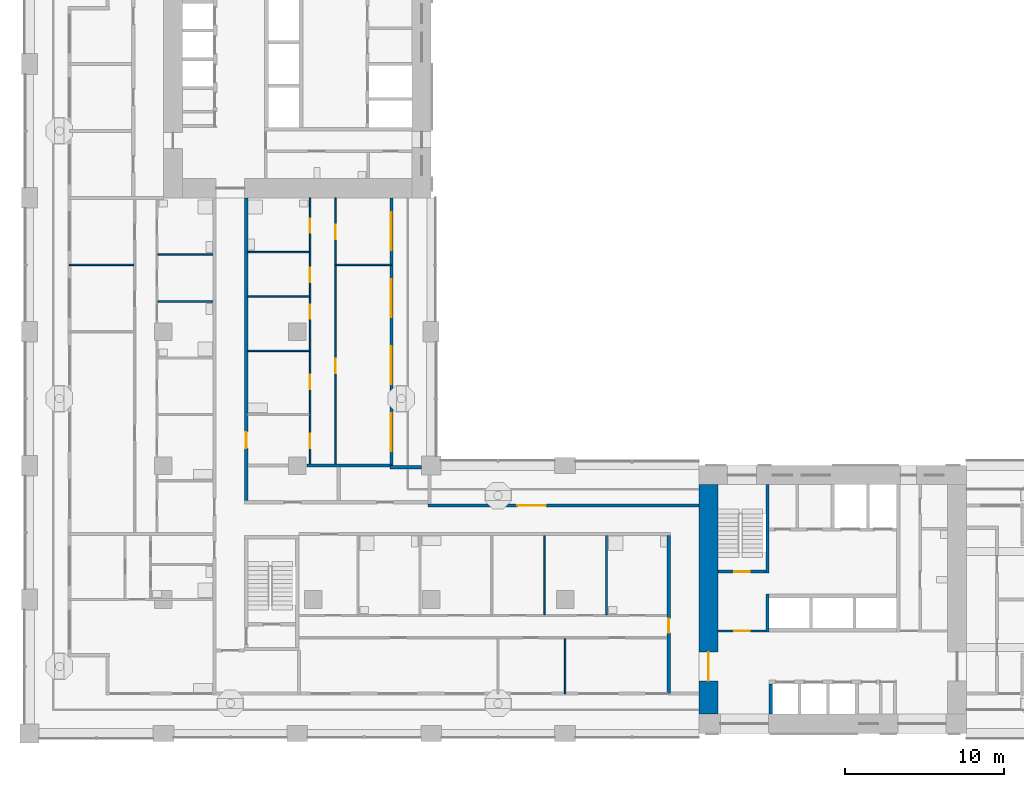
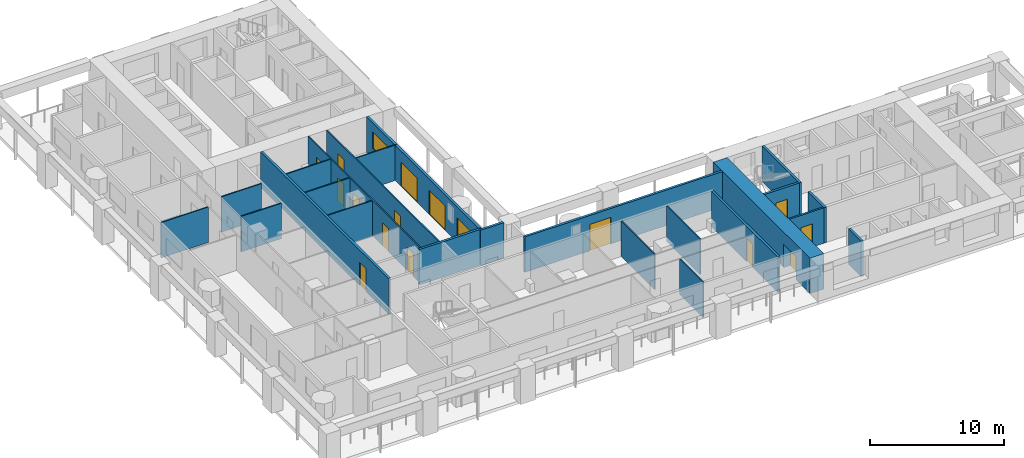
# One storey, part 4 of 18: 24 walls, 16 doors, 1 window, 17 openings.
"""IFC4 building model written with IfcOpenShell, lengths in metres."""

from ifc_helpers import new_model, si_unit, direction, frame, frame_2d, origin, place, context, subcontext, project, spatial, rectangle, extrude, material, layer, layer_set, type_object, element, fill, save


model = new_model("IFC4")

# Units and contexts
model_context = context("Model", 3, precision=1e-05, world=origin(), true_north=direction((0.0, 1.0)))
body_context = subcontext(model_context, "Body", "Model", "MODEL_VIEW")
ifc_project = project(units=[si_unit("LENGTHUNIT", "METRE"), si_unit("AREAUNIT", "SQUARE_METRE"), si_unit("VOLUMEUNIT", "CUBIC_METRE"), si_unit("PLANEANGLEUNIT", "RADIAN"), si_unit("MASSUNIT", "GRAM", prefix="KILO")], contexts=[model_context])

# Site, building, storey
site_placement = place(None, origin())
site = spatial("IfcSite", under=ifc_project, at=site_placement, CompositionType="ELEMENT")
building_placement = place(site_placement, origin())
building = spatial("IfcBuilding", under=site, at=building_placement, Name="Vermilion Gate Residences", CompositionType="ELEMENT")
storey_placement = place(building_placement, frame((0.0, 0.0, 133.699951171875)))
storey = spatial("IfcBuildingStorey", under=building, at=storey_placement, Name="L34", CompositionType="ELEMENT", Elevation=133.699951171875)

# Wall, opening, door
ifc_material_1 = material(Name="Masonry blockwork", Category="masonry")
ifc_layer_1 = layer(ifc_material_1, 0.14990234375)
ifc_layer_set_1 = layer_set([ifc_layer_1], Name="BLOCKWORK PARTITION 150 EI 120")
wall_type_1 = type_object("IfcWallType", Name="BLOCKWORK PARTITION 150 EI 120", PredefinedType="PARTITIONING", material=ifc_layer_set_1)
wall_1_placement = place(storey_placement, frame((43.199951171875, 14.824951171875, 0.0), z_axis=(0.0, 0.0, 1.0), x_axis=(1.0, 0.0, 0.0)))
wall_1 = element("IfcWall", 1, at=wall_1_placement, inside=storey, type_object=wall_type_1, Name="Core room partition A34-VW-S", PredefinedType="PARTITIONING", context=body_context, shape_type="SweptSolid", body=[
    extrude(rectangle(XDim=3.0, YDim=0.14990234375, at=frame_2d((1.5, 0.0))), origin(), (0.0, 0.0, 1.0), 3.219970703125),
])
opening_1_placement = place(wall_1_placement, frame((1.0, 0.0, 0.0)))
opening_1 = element("IfcOpeningElement", 2, at=opening_1_placement, cuts=wall_1, Name="Opening DK34012", PredefinedType="OPENING", context=body_context, shape_type="SweptSolid", body=[
    extrude(rectangle(XDim=1.0, YDim=2.10009765625, at=frame_2d((0.5, 1.050048828125))), frame((0.0, 0.0849609375, 0.0), z_axis=(0.0, -1.0, 0.0), x_axis=(1.0, 0.0, 0.0)), (0.0, 0.0, 1.0), 0.169921875),
])
ifc_material_2 = material(Name="Steel", Category="steel")
door_type_1 = type_object("IfcDoorType", Name="FIRE DOOR FD60 1000 X 2100", OperationType="SINGLE_SWING_LEFT", PredefinedType="DOOR", material=ifc_material_2)
door_1_placement = place(opening_1_placement, frame((1.0, 0.0, 0.0), z_axis=(0.0, 0.0, 1.0), x_axis=(-1.0, 0.0, 0.0)))
door_1 = element("IfcDoor", 3, at=door_1_placement, inside=storey, type_object=door_type_1, Name="Stair vestibule door A34", OperationType="SINGLE_SWING_RIGHT", OverallHeight=2.10009765625, OverallWidth=1.0, PredefinedType="DOOR", context=body_context, shape_type="SweptSolid", body=[
    extrude(rectangle(XDim=1.0, YDim=2.10009765625, at=frame_2d((0.5, 1.050048828125))), frame((0.0, 0.02490234375, 0.0), z_axis=(0.0, -1.0, 0.0), x_axis=(1.0, 0.0, 0.0)), (0.0, 0.0, 1.0), 0.050048828125),
])
fill(opening_1, door_1)

ifc_material_3 = material(Name="Insulated steel stud wall with terracotta rainscreen", Category="masonry")
ifc_layer_2 = layer(ifc_material_3, 0.199951171875)
ifc_layer_set_2 = layer_set([ifc_layer_2], Name="EXTERNAL WALL 200 TERRACOTTA RAINSCREEN")
wall_type_2 = type_object("IfcWallType", Name="EXTERNAL WALL 200 TERRACOTTA RAINSCREEN", PredefinedType="SOLIDWALL", material=ifc_layer_set_2)
wall_2_placement = place(storey_placement, frame((42.0, 22.699951171875, 0.0), z_axis=(0.0, 0.0, 1.0), x_axis=(-1.0, 0.0, 0.0)))
wall_2 = element("IfcWall", 4, at=wall_2_placement, inside=storey, type_object=wall_type_2, Name="External wall", PredefinedType="SOLIDWALL", context=body_context, shape_type="SweptSolid", body=[
    extrude(rectangle(XDim=17.0, YDim=0.199951171875, at=frame_2d((8.5, 0.0))), origin(), (0.0, 0.0, 1.0), 3.219970703125),
])
opening_2_placement = place(wall_2_placement, frame((9.60009765625, 0.0, 0.0)))
opening_2 = element("IfcOpeningElement", 5, at=opening_2_placement, cuts=wall_2, Name="Opening DE34029", PredefinedType="OPENING", context=body_context, shape_type="SweptSolid", body=[
    extrude(rectangle(XDim=1.800048828125, YDim=2.39990234375, at=frame_2d((0.89990234375, 1.199951171875))), frame((0.0, 0.10986328125, 0.0), z_axis=(0.0, -1.0, 0.0), x_axis=(1.0, 0.0, 0.0)), (0.0, 0.0, 1.0), 0.219970703125),
])
ifc_material_4 = material(Name="Aluminium and clear glass", Category="aluminium")
door_type_2 = type_object("IfcDoorType", Name="GLAZED EXTERNAL DOOR 1800 X 2400", OperationType="DOUBLE_DOOR_SINGLE_SWING", PredefinedType="DOOR", material=ifc_material_4)
door_2_placement = place(opening_2_placement, frame((1.800048828125, 0.0, 0.0), z_axis=(0.0, 0.0, 1.0), x_axis=(-1.0, 0.0, 0.0)))
door_2 = element("IfcDoor", 6, at=door_2_placement, inside=storey, type_object=door_type_2, Name="Gallery door", OperationType="DOUBLE_DOOR_SINGLE_SWING", OverallHeight=2.39990234375, OverallWidth=1.800048828125, PredefinedType="DOOR", context=body_context, shape_type="SweptSolid", body=[
    extrude(rectangle(XDim=1.800048828125, YDim=2.39990234375, at=frame_2d((0.89990234375, 1.199951171875))), frame((0.0, 0.02490234375, 0.0), z_axis=(0.0, -1.0, 0.0), x_axis=(1.0, 0.0, 0.0)), (0.0, 0.0, 1.0), 0.050048828125),
])
fill(opening_2, door_2)

# Wall
wall_3_placement = place(storey_placement, frame((24.60009765625, 25.10009765625, 0.0), z_axis=(0.0, 0.0, 1.0), x_axis=(-1.0, 0.0, 0.0)))
element("IfcWall", 7, at=wall_3_placement, inside=storey, type_object=wall_type_2, Name="External wall", PredefinedType="SOLIDWALL", context=body_context, shape_type="SweptSolid", body=[
    extrude(rectangle(XDim=2.0, YDim=0.199951171875, at=frame_2d((1.0, 0.0))), origin(), (0.0, 0.0, 1.0), 3.219970703125),
])

# Wall, openings, doors, window
wall_4_placement = place(storey_placement, frame((22.699951171875, 25.199951171875, 0.0), z_axis=(0.0, 0.0, 1.0), x_axis=(0.0, 1.0, 0.0)))
wall_4 = element("IfcWall", 8, at=wall_4_placement, inside=storey, type_object=wall_type_2, Name="External wall", PredefinedType="SOLIDWALL", context=body_context, shape_type="SweptSolid", body=[
    extrude(rectangle(XDim=16.800048828125, YDim=0.199951171875, at=frame_2d((8.39990234375, 0.0))), origin(), (0.0, 0.0, 1.0), 3.219970703125),
])
opening_3_placement = place(wall_4_placement, frame((0.89990234375, 0.0, 0.0)))
opening_3 = element("IfcOpeningElement", 9, at=opening_3_placement, cuts=wall_4, Name="Opening DE34024", PredefinedType="OPENING", context=body_context, shape_type="SweptSolid", body=[
    extrude(rectangle(XDim=2.39990234375, YDim=2.199951171875, at=frame_2d((1.199951171875, 1.10009765625))), frame((0.0, 0.10986328125, 0.0), z_axis=(0.0, -1.0, 0.0), x_axis=(1.0, 0.0, 0.0)), (0.0, 0.0, 1.0), 0.219970703125),
])
opening_4_placement = place(wall_4_placement, frame((5.10009765625, 0.0, 0.0)))
opening_4 = element("IfcOpeningElement", 10, at=opening_4_placement, cuts=wall_4, Name="Opening DE34025", PredefinedType="OPENING", context=body_context, shape_type="SweptSolid", body=[
    extrude(rectangle(XDim=2.39990234375, YDim=2.199951171875, at=frame_2d((1.199951171875, 1.10009765625))), frame((0.0, 0.10986328125, 0.0), z_axis=(0.0, -1.0, 0.0), x_axis=(1.0, 0.0, 0.0)), (0.0, 0.0, 1.0), 0.219970703125),
])
opening_5_placement = place(wall_4_placement, frame((9.300048828125, 0.0, 0.0)))
opening_5 = element("IfcOpeningElement", 11, at=opening_5_placement, cuts=wall_4, Name="Opening DE34026", PredefinedType="OPENING", context=body_context, shape_type="SweptSolid", body=[
    extrude(rectangle(XDim=2.39990234375, YDim=2.199951171875, at=frame_2d((1.199951171875, 1.10009765625))), frame((0.0, 0.10986328125, 0.0), z_axis=(0.0, -1.0, 0.0), x_axis=(1.0, 0.0, 0.0)), (0.0, 0.0, 1.0), 0.219970703125),
])
opening_6_placement = place(wall_4_placement, frame((13.5, 0.0, 0.89990234375)))
opening_6 = element("IfcOpeningElement", 12, at=opening_6_placement, cuts=wall_4, Name="Opening WE34027", PredefinedType="OPENING", context=body_context, shape_type="SweptSolid", body=[
    extrude(rectangle(XDim=2.39990234375, YDim=1.5, at=frame_2d((1.199951171875, 0.75))), frame((0.0, 0.10986328125, 0.0), z_axis=(0.0, -1.0, 0.0), x_axis=(1.0, 0.0, 0.0)), (0.0, 0.0, 1.0), 0.219970703125),
])
ifc_material_5 = material(Name="Aluminium and clear glass", Category="aluminium")
door_type_3 = type_object("IfcDoorType", Name="SLIDING GLAZED DOOR 2400 X 2200", OperationType="DOUBLE_DOOR_SLIDING", PredefinedType="DOOR", material=ifc_material_5)
door_3_placement = place(opening_3_placement, origin())
door_3 = element("IfcDoor", 13, at=door_3_placement, inside=storey, type_object=door_type_3, Name="Loggia sliding door", OperationType="DOUBLE_DOOR_SLIDING", OverallHeight=2.199951171875, OverallWidth=2.39990234375, PredefinedType="DOOR", context=body_context, shape_type="SweptSolid", body=[
    extrude(rectangle(XDim=2.39990234375, YDim=2.199951171875, at=frame_2d((1.199951171875, 1.10009765625))), frame((0.0, 0.02490234375, 0.0), z_axis=(0.0, -1.0, 0.0), x_axis=(1.0, 0.0, 0.0)), (0.0, 0.0, 1.0), 0.050048828125),
])
fill(opening_3, door_3)
door_4_placement = place(opening_4_placement, origin())
door_4 = element("IfcDoor", 14, at=door_4_placement, inside=storey, type_object=door_type_3, Name="Loggia sliding door", OperationType="DOUBLE_DOOR_SLIDING", OverallHeight=2.199951171875, OverallWidth=2.39990234375, PredefinedType="DOOR", context=body_context, shape_type="SweptSolid", body=[
    extrude(rectangle(XDim=2.39990234375, YDim=2.199951171875, at=frame_2d((1.199951171875, 1.10009765625))), frame((0.0, 0.02490234375, 0.0), z_axis=(0.0, -1.0, 0.0), x_axis=(1.0, 0.0, 0.0)), (0.0, 0.0, 1.0), 0.050048828125),
])
fill(opening_4, door_4)
door_5_placement = place(opening_5_placement, origin())
door_5 = element("IfcDoor", 15, at=door_5_placement, inside=storey, type_object=door_type_3, Name="Loggia sliding door", OperationType="DOUBLE_DOOR_SLIDING", OverallHeight=2.199951171875, OverallWidth=2.39990234375, PredefinedType="DOOR", context=body_context, shape_type="SweptSolid", body=[
    extrude(rectangle(XDim=2.39990234375, YDim=2.199951171875, at=frame_2d((1.199951171875, 1.10009765625))), frame((0.0, 0.02490234375, 0.0), z_axis=(0.0, -1.0, 0.0), x_axis=(1.0, 0.0, 0.0)), (0.0, 0.0, 1.0), 0.050048828125),
])
fill(opening_5, door_5)
ifc_material_6 = material(Name="Aluminium and clear glass", Category="aluminium")
window_type = type_object("IfcWindowType", Name="WINDOW 2400 X 1500", PartitioningType="SINGLE_PANEL", PredefinedType="WINDOW", material=ifc_material_6)
window_placement = place(opening_6_placement, origin())
window = element("IfcWindow", 16, at=window_placement, inside=storey, type_object=window_type, Name="Window", OverallHeight=1.5, OverallWidth=2.39990234375, PartitioningType="SINGLE_PANEL", PredefinedType="WINDOW", context=body_context, shape_type="SweptSolid", body=[
    extrude(rectangle(XDim=2.39990234375, YDim=1.5, at=frame_2d((1.199951171875, 0.75))), frame((0.0, 0.030029296875, 0.0), z_axis=(0.0, -1.0, 0.0), x_axis=(1.0, 0.0, 0.0)), (0.0, 0.0, 1.0), 0.06005859375),
])
fill(opening_6, window)

# Walls
ifc_material_7 = material(Name="Plasterboard on steel studs", Category="steel")
ifc_layer_3 = layer(ifc_material_7, 0.10009765625)
ifc_layer_set_3 = layer_set([ifc_layer_3], Name="PARTITION 100")
wall_type_3 = type_object("IfcWallType", Name="PARTITION 100", PredefinedType="PARTITIONING", material=ifc_layer_set_3)
wall_5_placement = place(storey_placement, frame((13.699951171875, 32.39990234375, 0.0), z_axis=(0.0, 0.0, 1.0), x_axis=(1.0, 0.0, 0.0)))
element("IfcWall", 17, at=wall_5_placement, inside=storey, type_object=wall_type_3, Name="Partition", PredefinedType="PARTITIONING", context=body_context, shape_type="SweptSolid", body=[
    extrude(rectangle(XDim=3.85009765625, YDim=0.10009765625, at=frame_2d((1.925048828125, 0.0))), origin(), (0.0, 0.0, 1.0), 3.219970703125),
])
wall_6_placement = place(storey_placement, frame((8.050048828125, 35.5, 0.0), z_axis=(0.0, 0.0, 1.0), x_axis=(1.0, 0.0, 0.0)))
element("IfcWall", 18, at=wall_6_placement, inside=storey, type_object=wall_type_3, Name="Partition", PredefinedType="PARTITIONING", context=body_context, shape_type="SweptSolid", body=[
    extrude(rectangle(XDim=3.449951171875, YDim=0.10009765625, at=frame_2d((1.72509765625, 0.0))), origin(), (0.0, 0.0, 1.0), 3.219970703125),
])
wall_7_placement = place(storey_placement, frame((13.699951171875, 35.800048828125, 0.0), z_axis=(0.0, 0.0, 1.0), x_axis=(1.0, 0.0, 0.0)))
element("IfcWall", 19, at=wall_7_placement, inside=storey, type_object=wall_type_3, Name="Partition", PredefinedType="PARTITIONING", context=body_context, shape_type="SweptSolid", body=[
    extrude(rectangle(XDim=3.85009765625, YDim=0.10009765625, at=frame_2d((1.925048828125, 0.0))), origin(), (0.0, 0.0, 1.0), 3.219970703125),
])
wall_8_placement = place(storey_placement, frame((2.5, 37.800048828125, 0.0), z_axis=(0.0, 0.0, 1.0), x_axis=(1.0, 0.0, 0.0)))
element("IfcWall", 20, at=wall_8_placement, inside=storey, type_object=wall_type_3, Name="Partition", PredefinedType="PARTITIONING", context=body_context, shape_type="SweptSolid", body=[
    extrude(rectangle(XDim=4.050048828125, YDim=0.10009765625, at=frame_2d((2.02490234375, 0.0))), origin(), (0.0, 0.0, 1.0), 3.219970703125),
])
for number, where, z_axis, x_axis, name in (
    (21, (19.25, 37.800048828125, 0.0), (0.0, 0.0, 1.0), (1.0, 0.0, 0.0), "Partition"),
    (22, (8.050048828125, 38.449951171875, 0.0), (0.0, 0.0, 1.0), (1.0, 0.0, 0.0), "Partition"),
):
    element("IfcWall", number, at=place(storey_placement, frame(where, z_axis=z_axis, x_axis=x_axis)), inside=storey, type_object=wall_type_3, Name=name, PredefinedType="PARTITIONING", context=body_context, shape_type="SweptSolid", body=[
        extrude(rectangle(XDim=3.449951171875, YDim=0.10009765625, at=frame_2d((1.72509765625, 0.0))), origin(), (0.0, 0.0, 1.0), 3.219970703125),
    ])
wall_9_placement = place(storey_placement, frame((13.699951171875, 38.60009765625, 0.0), z_axis=(0.0, 0.0, 1.0), x_axis=(1.0, 0.0, 0.0)))
element("IfcWall", 23, at=wall_9_placement, inside=storey, type_object=wall_type_3, Name="Partition", PredefinedType="PARTITIONING", context=body_context, shape_type="SweptSolid", body=[
    extrude(rectangle(XDim=3.85009765625, YDim=0.10009765625, at=frame_2d((1.925048828125, 0.0))), origin(), (0.0, 0.0, 1.0), 3.219970703125),
])

# Wall, openings, doors
wall_10_placement = place(storey_placement, frame((17.60009765625, 25.300048828125, 0.0), z_axis=(0.0, 0.0, 1.0), x_axis=(0.0, 1.0, 0.0)))
wall_10 = element("IfcWall", 24, at=wall_10_placement, inside=storey, type_object=wall_type_3, Name="Partition", PredefinedType="PARTITIONING", context=body_context, shape_type="SweptSolid", body=[
    extrude(rectangle(XDim=16.699951171875, YDim=0.10009765625, at=frame_2d((8.35009765625, 0.0))), origin(), (0.0, 0.0, 1.0), 3.219970703125),
])
opening_7_placement = place(wall_10_placement, frame((1.0, 0.0, 0.0)))
opening_7 = element("IfcOpeningElement", 25, at=opening_7_placement, cuts=wall_10, Name="Opening DA34033", PredefinedType="OPENING", context=body_context, shape_type="SweptSolid", body=[
    extrude(rectangle(XDim=0.89990234375, YDim=2.10009765625, at=frame_2d((0.449951171875, 1.050048828125))), frame((0.0, 0.06005859375, 0.0), z_axis=(0.0, -1.0, 0.0), x_axis=(1.0, 0.0, 0.0)), (0.0, 0.0, 1.0), 0.1201171875),
])
opening_8_placement = place(wall_10_placement, frame((4.699951171875, 0.0, 0.0)))
opening_8 = element("IfcOpeningElement", 26, at=opening_8_placement, cuts=wall_10, Name="Opening DA34034", PredefinedType="OPENING", context=body_context, shape_type="SweptSolid", body=[
    extrude(rectangle(XDim=0.89990234375, YDim=2.10009765625, at=frame_2d((0.449951171875, 1.050048828125))), frame((0.0, 0.06005859375, 0.0), z_axis=(0.0, -1.0, 0.0), x_axis=(1.0, 0.0, 0.0)), (0.0, 0.0, 1.0), 0.1201171875),
])
opening_9_placement = place(wall_10_placement, frame((9.10009765625, 0.0, 0.0)))
opening_9 = element("IfcOpeningElement", 27, at=opening_9_placement, cuts=wall_10, Name="Opening DA34035", PredefinedType="OPENING", context=body_context, shape_type="SweptSolid", body=[
    extrude(rectangle(XDim=0.89990234375, YDim=2.10009765625, at=frame_2d((0.449951171875, 1.050048828125))), frame((0.0, 0.06005859375, 0.0), z_axis=(0.0, -1.0, 0.0), x_axis=(1.0, 0.0, 0.0)), (0.0, 0.0, 1.0), 0.1201171875),
])
opening_10_placement = place(wall_10_placement, frame((11.39990234375, 0.0, 0.0)))
opening_10 = element("IfcOpeningElement", 28, at=opening_10_placement, cuts=wall_10, Name="Opening DA34036", PredefinedType="OPENING", context=body_context, shape_type="SweptSolid", body=[
    extrude(rectangle(XDim=0.89990234375, YDim=2.10009765625, at=frame_2d((0.449951171875, 1.050048828125))), frame((0.0, 0.06005859375, 0.0), z_axis=(0.0, -1.0, 0.0), x_axis=(1.0, 0.0, 0.0)), (0.0, 0.0, 1.0), 0.1201171875),
])
opening_11_placement = place(wall_10_placement, frame((14.5, 0.0, 0.0)))
opening_11 = element("IfcOpeningElement", 29, at=opening_11_placement, cuts=wall_10, Name="Opening DA34037", PredefinedType="OPENING", context=body_context, shape_type="SweptSolid", body=[
    extrude(rectangle(XDim=0.89990234375, YDim=2.10009765625, at=frame_2d((0.449951171875, 1.050048828125))), frame((0.0, 0.06005859375, 0.0), z_axis=(0.0, -1.0, 0.0), x_axis=(1.0, 0.0, 0.0)), (0.0, 0.0, 1.0), 0.1201171875),
])
ifc_material_8 = material(Name="Timber", Category="wood")
door_type_4 = type_object("IfcDoorType", Name="INTERIOR DOOR 900 X 2100", OperationType="SINGLE_SWING_LEFT", PredefinedType="DOOR", material=ifc_material_8)
door_6_placement = place(opening_7_placement, origin())
door_6 = element("IfcDoor", 30, at=door_6_placement, inside=storey, type_object=door_type_4, Name="Interior door", OperationType="SINGLE_SWING_LEFT", OverallHeight=2.10009765625, OverallWidth=0.89990234375, PredefinedType="DOOR", context=body_context, shape_type="SweptSolid", body=[
    extrude(rectangle(XDim=0.89990234375, YDim=2.10009765625, at=frame_2d((0.449951171875, 1.050048828125))), frame((0.0, 0.02490234375, 0.0), z_axis=(0.0, -1.0, 0.0), x_axis=(1.0, 0.0, 0.0)), (0.0, 0.0, 1.0), 0.050048828125),
])
fill(opening_7, door_6)
door_7_placement = place(opening_8_placement, origin())
door_7 = element("IfcDoor", 31, at=door_7_placement, inside=storey, type_object=door_type_4, Name="Interior door", OperationType="SINGLE_SWING_RIGHT", OverallHeight=2.10009765625, OverallWidth=0.89990234375, PredefinedType="DOOR", context=body_context, shape_type="SweptSolid", body=[
    extrude(rectangle(XDim=0.89990234375, YDim=2.10009765625, at=frame_2d((0.449951171875, 1.050048828125))), frame((0.0, 0.02490234375, 0.0), z_axis=(0.0, -1.0, 0.0), x_axis=(1.0, 0.0, 0.0)), (0.0, 0.0, 1.0), 0.050048828125),
])
fill(opening_8, door_7)
door_8_placement = place(opening_9_placement, origin())
door_8 = element("IfcDoor", 32, at=door_8_placement, inside=storey, type_object=door_type_4, Name="Interior door", OperationType="SINGLE_SWING_RIGHT", OverallHeight=2.10009765625, OverallWidth=0.89990234375, PredefinedType="DOOR", context=body_context, shape_type="SweptSolid", body=[
    extrude(rectangle(XDim=0.89990234375, YDim=2.10009765625, at=frame_2d((0.449951171875, 1.050048828125))), frame((0.0, 0.02490234375, 0.0), z_axis=(0.0, -1.0, 0.0), x_axis=(1.0, 0.0, 0.0)), (0.0, 0.0, 1.0), 0.050048828125),
])
fill(opening_9, door_8)
door_9_placement = place(opening_10_placement, origin())
door_9 = element("IfcDoor", 33, at=door_9_placement, inside=storey, type_object=door_type_4, Name="Interior door", OperationType="SINGLE_SWING_LEFT", OverallHeight=2.10009765625, OverallWidth=0.89990234375, PredefinedType="DOOR", context=body_context, shape_type="SweptSolid", body=[
    extrude(rectangle(XDim=0.89990234375, YDim=2.10009765625, at=frame_2d((0.449951171875, 1.050048828125))), frame((0.0, 0.02490234375, 0.0), z_axis=(0.0, -1.0, 0.0), x_axis=(1.0, 0.0, 0.0)), (0.0, 0.0, 1.0), 0.050048828125),
])
fill(opening_10, door_9)
door_10_placement = place(opening_11_placement, origin())
door_10 = element("IfcDoor", 34, at=door_10_placement, inside=storey, type_object=door_type_4, Name="Interior door", OperationType="SINGLE_SWING_RIGHT", OverallHeight=2.10009765625, OverallWidth=0.89990234375, PredefinedType="DOOR", context=body_context, shape_type="SweptSolid", body=[
    extrude(rectangle(XDim=0.89990234375, YDim=2.10009765625, at=frame_2d((0.449951171875, 1.050048828125))), frame((0.0, 0.02490234375, 0.0), z_axis=(0.0, -1.0, 0.0), x_axis=(1.0, 0.0, 0.0)), (0.0, 0.0, 1.0), 0.050048828125),
])
fill(opening_11, door_10)

wall_11_placement = place(storey_placement, frame((19.199951171875, 25.300048828125, 0.0), z_axis=(0.0, 0.0, 1.0), x_axis=(0.0, 1.0, 0.0)))
wall_11 = element("IfcWall", 35, at=wall_11_placement, inside=storey, type_object=wall_type_3, Name="Partition", PredefinedType="PARTITIONING", context=body_context, shape_type="SweptSolid", body=[
    extrude(rectangle(XDim=16.699951171875, YDim=0.10009765625, at=frame_2d((8.35009765625, 0.0))), origin(), (0.0, 0.0, 1.0), 3.219970703125),
])
opening_12_placement = place(wall_11_placement, frame((5.699951171875, 0.0, 0.0)))
opening_12 = element("IfcOpeningElement", 36, at=opening_12_placement, cuts=wall_11, Name="Opening DA34038", PredefinedType="OPENING", context=body_context, shape_type="SweptSolid", body=[
    extrude(rectangle(XDim=0.89990234375, YDim=2.10009765625, at=frame_2d((0.449951171875, 1.050048828125))), frame((0.0, 0.06005859375, 0.0), z_axis=(0.0, -1.0, 0.0), x_axis=(1.0, 0.0, 0.0)), (0.0, 0.0, 1.0), 0.1201171875),
])
opening_13_placement = place(wall_11_placement, frame((14.10009765625, 0.0, 0.0)))
opening_13 = element("IfcOpeningElement", 37, at=opening_13_placement, cuts=wall_11, Name="Opening DA34039", PredefinedType="OPENING", context=body_context, shape_type="SweptSolid", body=[
    extrude(rectangle(XDim=0.89990234375, YDim=2.10009765625, at=frame_2d((0.449951171875, 1.050048828125))), frame((0.0, 0.06005859375, 0.0), z_axis=(0.0, -1.0, 0.0), x_axis=(1.0, 0.0, 0.0)), (0.0, 0.0, 1.0), 0.1201171875),
])
door_11_placement = place(opening_12_placement, frame((0.89990234375, 0.0, 0.0), z_axis=(0.0, 0.0, 1.0), x_axis=(-1.0, 0.0, 0.0)))
door_11 = element("IfcDoor", 38, at=door_11_placement, inside=storey, type_object=door_type_4, Name="Interior door", OperationType="SINGLE_SWING_RIGHT", OverallHeight=2.10009765625, OverallWidth=0.89990234375, PredefinedType="DOOR", context=body_context, shape_type="SweptSolid", body=[
    extrude(rectangle(XDim=0.89990234375, YDim=2.10009765625, at=frame_2d((0.449951171875, 1.050048828125))), frame((0.0, 0.02490234375, 0.0), z_axis=(0.0, -1.0, 0.0), x_axis=(1.0, 0.0, 0.0)), (0.0, 0.0, 1.0), 0.050048828125),
])
fill(opening_12, door_11)
door_12_placement = place(opening_13_placement, frame((0.89990234375, 0.0, 0.0), z_axis=(0.0, 0.0, 1.0), x_axis=(-1.0, 0.0, 0.0)))
door_12 = element("IfcDoor", 39, at=door_12_placement, inside=storey, type_object=door_type_4, Name="Interior door", OperationType="SINGLE_SWING_RIGHT", OverallHeight=2.10009765625, OverallWidth=0.89990234375, PredefinedType="DOOR", context=body_context, shape_type="SweptSolid", body=[
    extrude(rectangle(XDim=0.89990234375, YDim=2.10009765625, at=frame_2d((0.449951171875, 1.050048828125))), frame((0.0, 0.02490234375, 0.0), z_axis=(0.0, -1.0, 0.0), x_axis=(1.0, 0.0, 0.0)), (0.0, 0.0, 1.0), 0.050048828125),
])
fill(opening_13, door_12)

# Walls
wall_12_placement = place(storey_placement, frame((32.300048828125, 15.85009765625, 0.0), z_axis=(0.0, 0.0, 1.0), x_axis=(0.0, 1.0, 0.0)))
element("IfcWall", 40, at=wall_12_placement, inside=storey, type_object=wall_type_3, Name="Partition", PredefinedType="PARTITIONING", context=body_context, shape_type="SweptSolid", body=[
    extrude(rectangle(XDim=4.949951171875, YDim=0.10009765625, at=frame_2d((2.47509765625, 0.0))), origin(), (0.0, 0.0, 1.0), 3.219970703125),
])
wall_13_placement = place(storey_placement, frame((33.60009765625, 10.89990234375, 0.0), z_axis=(0.0, 0.0, 1.0), x_axis=(0.0, 1.0, 0.0)))
element("IfcWall", 41, at=wall_13_placement, inside=storey, type_object=wall_type_3, Name="Partition", PredefinedType="PARTITIONING", context=body_context, shape_type="SweptSolid", body=[
    extrude(rectangle(XDim=3.4501953125, YDim=0.10009765625, at=frame_2d((1.72509765625, 0.0))), origin(), (0.0, 0.0, 1.0), 3.219970703125),
])
wall_14_placement = place(storey_placement, frame((36.199951171875, 15.85009765625, 0.0), z_axis=(0.0, 0.0, 1.0), x_axis=(0.0, 1.0, 0.0)))
element("IfcWall", 42, at=wall_14_placement, inside=storey, type_object=wall_type_3, Name="Partition", PredefinedType="PARTITIONING", context=body_context, shape_type="SweptSolid", body=[
    extrude(rectangle(XDim=4.949951171875, YDim=0.10009765625, at=frame_2d((2.47509765625, 0.0))), origin(), (0.0, 0.0, 1.0), 3.219970703125),
])
ifc_material_9 = material(Name="Fire-rated plasterboard on steel studs", Category="steel")
ifc_layer_4 = layer(ifc_material_9, 0.199951171875)
ifc_layer_set_4 = layer_set([ifc_layer_4], Name="PARTY WALL 200 EI 120")
wall_type_4 = type_object("IfcWallType", Name="PARTY WALL 200 EI 120", PredefinedType="PARTITIONING", material=ifc_layer_set_4)
wall_15_placement = place(storey_placement, frame((17.39990234375, 25.199951171875, 0.0), z_axis=(0.0, 0.0, 1.0), x_axis=(1.0, 0.0, 0.0)))
element("IfcWall", 43, at=wall_15_placement, inside=storey, type_object=wall_type_4, Name="Party and corridor wall", PredefinedType="PARTITIONING", context=body_context, shape_type="SweptSolid", body=[
    extrude(rectangle(XDim=5.300048828125, YDim=0.199951171875, at=frame_2d((2.64990234375, 0.0))), origin(), (0.0, 0.0, 1.0), 3.219970703125),
])

# Wall, opening, door
wall_16_placement = place(storey_placement, frame((13.60009765625, 23.0, 0.0), z_axis=(0.0, 0.0, 1.0), x_axis=(0.0, 1.0, 0.0)))
wall_16 = element("IfcWall", 44, at=wall_16_placement, inside=storey, type_object=wall_type_4, Name="Party and corridor wall", PredefinedType="PARTITIONING", context=body_context, shape_type="SweptSolid", body=[
    extrude(rectangle(XDim=19.0, YDim=0.199951171875, at=frame_2d((9.5, 0.0))), origin(), (0.0, 0.0, 1.0), 3.219970703125),
])
opening_14_placement = place(wall_16_placement, frame((3.300048828125, 0.0, 0.0)))
opening_14 = element("IfcOpeningElement", 45, at=opening_14_placement, cuts=wall_16, Name="Opening DA34032", PredefinedType="OPENING", context=body_context, shape_type="SweptSolid", body=[
    extrude(rectangle(XDim=1.0, YDim=2.10009765625, at=frame_2d((0.5, 1.050048828125))), frame((0.0, 0.10986328125, 0.0), z_axis=(0.0, -1.0, 0.0), x_axis=(1.0, 0.0, 0.0)), (0.0, 0.0, 1.0), 0.219970703125),
])
ifc_material_10 = material(Name="Steel", Category="steel")
door_type_5 = type_object("IfcDoorType", Name="ENTRANCE DOOR 1000 X 2100 FD30", OperationType="SINGLE_SWING_LEFT", PredefinedType="DOOR", material=ifc_material_10)
door_13_placement = place(opening_14_placement, frame((1.0, 0.0, 0.0), z_axis=(0.0, 0.0, 1.0), x_axis=(-1.0, 0.0, 0.0)))
door_13 = element("IfcDoor", 46, at=door_13_placement, inside=storey, type_object=door_type_5, Name="Entrance door", OperationType="SINGLE_SWING_RIGHT", OverallHeight=2.10009765625, OverallWidth=1.0, PredefinedType="DOOR", context=body_context, shape_type="SweptSolid", body=[
    extrude(rectangle(XDim=1.0, YDim=2.10009765625, at=frame_2d((0.5, 1.050048828125))), frame((0.0, 0.02490234375, 0.0), z_axis=(0.0, -1.0, 0.0), x_axis=(1.0, 0.0, 0.0)), (0.0, 0.0, 1.0), 0.050048828125),
])
fill(opening_14, door_13)

wall_17_placement = place(storey_placement, frame((40.10009765625, 10.89990234375, 0.0), z_axis=(0.0, 0.0, 1.0), x_axis=(0.0, 1.0, 0.0)))
wall_17 = element("IfcWall", 47, at=wall_17_placement, inside=storey, type_object=wall_type_4, Name="Party and corridor wall", PredefinedType="PARTITIONING", context=body_context, shape_type="SweptSolid", body=[
    extrude(rectangle(XDim=9.900146484375, YDim=0.199951171875, at=frame_2d((4.9501953125, 0.0))), origin(), (0.0, 0.0, 1.0), 3.219970703125),
])
opening_15_placement = place(wall_17_placement, frame((3.800048828125, 0.0, 0.0)))
opening_15 = element("IfcOpeningElement", 48, at=opening_15_placement, cuts=wall_17, Name="Opening DA34040", PredefinedType="OPENING", context=body_context, shape_type="SweptSolid", body=[
    extrude(rectangle(XDim=0.89990234375, YDim=2.10009765625, at=frame_2d((0.449951171875, 1.050048828125))), frame((0.0, 0.10986328125, 0.0), z_axis=(0.0, -1.0, 0.0), x_axis=(1.0, 0.0, 0.0)), (0.0, 0.0, 1.0), 0.219970703125),
])
door_14_placement = place(opening_15_placement, origin())
door_14 = element("IfcDoor", 49, at=door_14_placement, inside=storey, type_object=door_type_4, Name="Interior door", OperationType="SINGLE_SWING_RIGHT", OverallHeight=2.10009765625, OverallWidth=0.89990234375, PredefinedType="DOOR", context=body_context, shape_type="SweptSolid", body=[
    extrude(rectangle(XDim=0.89990234375, YDim=2.10009765625, at=frame_2d((0.449951171875, 1.050048828125))), frame((0.0, 0.02490234375, 0.0), z_axis=(0.0, -1.0, 0.0), x_axis=(1.0, 0.0, 0.0)), (0.0, 0.0, 1.0), 0.050048828125),
])
fill(opening_15, door_14)

# Walls
ifc_material_11 = material(Name="Concrete C60", Category="concrete")
ifc_layer_5 = layer(ifc_material_11, 0.199951171875)
ifc_layer_set_5 = layer_set([ifc_layer_5], Name="RC CORE INTERNAL WALL 200 C60")
wall_type_5 = type_object("IfcWallType", Name="RC CORE INTERNAL WALL 200 C60", PredefinedType="SHEAR", material=ifc_layer_set_5)
wall_18_placement = place(storey_placement, frame((46.5, 9.60009765625, 0.0), z_axis=(0.0, 0.0, 1.0), x_axis=(0.0, 1.0, 0.0)))
element("IfcWall", 50, at=wall_18_placement, inside=storey, type_object=wall_type_5, Name="Core internal wall A34-LR-D0", PredefinedType="SHEAR", context=body_context, shape_type="SweptSolid", body=[
    extrude(rectangle(XDim=1.89990234375, YDim=0.199951171875, at=frame_2d((0.949951171875, 0.0))), origin(), (0.0, 0.0, 1.0), 3.219970703125),
])
wall_19_placement = place(storey_placement, frame((46.300048828125, 14.75, 0.0), z_axis=(0.0, 0.0, 1.0), x_axis=(0.0, 1.0, 0.0)))
element("IfcWall", 51, at=wall_19_placement, inside=storey, type_object=wall_type_5, Name="Core internal wall A34-WDIV1", PredefinedType="SHEAR", context=body_context, shape_type="SweptSolid", body=[
    extrude(rectangle(XDim=2.39990234375, YDim=0.199951171875, at=frame_2d((1.199951171875, 0.0))), origin(), (0.0, 0.0, 1.0), 3.219970703125),
])
wall_20_placement = place(storey_placement, frame((46.300048828125, 18.449951171875, 0.0), z_axis=(0.0, 0.0, 1.0), x_axis=(0.0, 1.0, 0.0)))
element("IfcWall", 52, at=wall_20_placement, inside=storey, type_object=wall_type_5, Name="Core internal wall A34-WDIV2", PredefinedType="SHEAR", context=body_context, shape_type="SweptSolid", body=[
    extrude(rectangle(XDim=5.550048828125, YDim=0.199951171875, at=frame_2d((2.77490234375, 0.0))), origin(), (0.0, 0.0, 1.0), 3.219970703125),
])

# Wall, opening, door
wall_21_placement = place(storey_placement, frame((43.199951171875, 18.550048828125, 0.0), z_axis=(0.0, 0.0, 1.0), x_axis=(1.0, 0.0, 0.0)))
wall_21 = element("IfcWall", 53, at=wall_21_placement, inside=storey, type_object=wall_type_5, Name="Core internal wall A34-STW-S", PredefinedType="SHEAR", context=body_context, shape_type="SweptSolid", body=[
    extrude(rectangle(XDim=3.0, YDim=0.199951171875, at=frame_2d((1.5, 0.0))), origin(), (0.0, 0.0, 1.0), 3.219970703125),
])
opening_16_placement = place(wall_21_placement, frame((1.0, 0.0, 0.0)))
opening_16 = element("IfcOpeningElement", 54, at=opening_16_placement, cuts=wall_21, Name="Opening DK34013", PredefinedType="OPENING", context=body_context, shape_type="SweptSolid", body=[
    extrude(rectangle(XDim=1.0, YDim=2.10009765625, at=frame_2d((0.5, 1.050048828125))), frame((0.0, 0.10986328125, 0.0), z_axis=(0.0, -1.0, 0.0), x_axis=(1.0, 0.0, 0.0)), (0.0, 0.0, 1.0), 0.219970703125),
])
door_15_placement = place(opening_16_placement, origin())
door_15 = element("IfcDoor", 55, at=door_15_placement, inside=storey, type_object=door_type_1, Name="Stair door A34", OperationType="SINGLE_SWING_LEFT", OverallHeight=2.10009765625, OverallWidth=1.0, PredefinedType="DOOR", context=body_context, shape_type="SweptSolid", body=[
    extrude(rectangle(XDim=1.0, YDim=2.10009765625, at=frame_2d((0.5, 1.050048828125))), frame((0.0, 0.02490234375, 0.0), z_axis=(0.0, -1.0, 0.0), x_axis=(1.0, 0.0, 0.0)), (0.0, 0.0, 1.0), 0.050048828125),
])
fill(opening_16, door_15)

ifc_material_12 = material(Name="Concrete C70", Category="concrete")
ifc_layer_6 = layer(ifc_material_12, 1.199951171875)
ifc_layer_set_6 = layer_set([ifc_layer_6], Name="RC CORE WALL 1200 C70")
wall_type_6 = type_object("IfcWallType", Name="RC CORE WALL 1200 C70", PredefinedType="SHEAR", material=ifc_layer_set_6)
wall_22_placement = place(storey_placement, frame((42.60009765625, 9.60009765625, 0.0), z_axis=(0.0, 0.0, 1.0), x_axis=(0.0, 1.0, 0.0)))
wall_22 = element("IfcWall", 56, at=wall_22_placement, inside=storey, type_object=wall_type_6, Name="Core wall A34-OUT-FR", PredefinedType="SHEAR", context=body_context, shape_type="SweptSolid", body=[
    extrude(rectangle(XDim=14.39990234375, YDim=1.199951171875, at=frame_2d((7.199951171875, 0.0))), origin(), (0.0, 0.0, 1.0), 3.219970703125),
])
opening_17_placement = place(wall_22_placement, frame((2.10009765625, 0.0, 0.0)))
opening_17 = element("IfcOpeningElement", 57, at=opening_17_placement, cuts=wall_22, Name="Opening DK34001", PredefinedType="OPENING", context=body_context, shape_type="SweptSolid", body=[
    extrude(rectangle(XDim=1.800048828125, YDim=2.10009765625, at=frame_2d((0.89990234375, 1.050048828125))), frame((0.0, 0.60986328125, 0.0), z_axis=(0.0, -1.0, 0.0), x_axis=(1.0, 0.0, 0.0)), (0.0, 0.0, 1.0), 1.219970703125),
])
ifc_material_13 = material(Name="Steel", Category="steel")
door_type_6 = type_object("IfcDoorType", Name="CORE LOBBY DOOR FD60 1800 X 2100", OperationType="DOUBLE_DOOR_SINGLE_SWING", PredefinedType="DOOR", material=ifc_material_13)
door_16_placement = place(opening_17_placement, frame((1.800048828125, 0.0, 0.0), z_axis=(0.0, 0.0, 1.0), x_axis=(-1.0, 0.0, 0.0)))
door_16 = element("IfcDoor", 58, at=door_16_placement, inside=storey, type_object=door_type_6, Name="Core lobby door A34", OperationType="DOUBLE_DOOR_SINGLE_SWING", OverallHeight=2.10009765625, OverallWidth=1.800048828125, PredefinedType="DOOR", context=body_context, shape_type="SweptSolid", body=[
    extrude(rectangle(XDim=1.800048828125, YDim=2.10009765625, at=frame_2d((0.89990234375, 1.050048828125))), frame((0.0, 0.02490234375, 0.0), z_axis=(0.0, -1.0, 0.0), x_axis=(1.0, 0.0, 0.0)), (0.0, 0.0, 1.0), 0.050048828125),
])
fill(opening_17, door_16)

save(model, "model.ifc")
